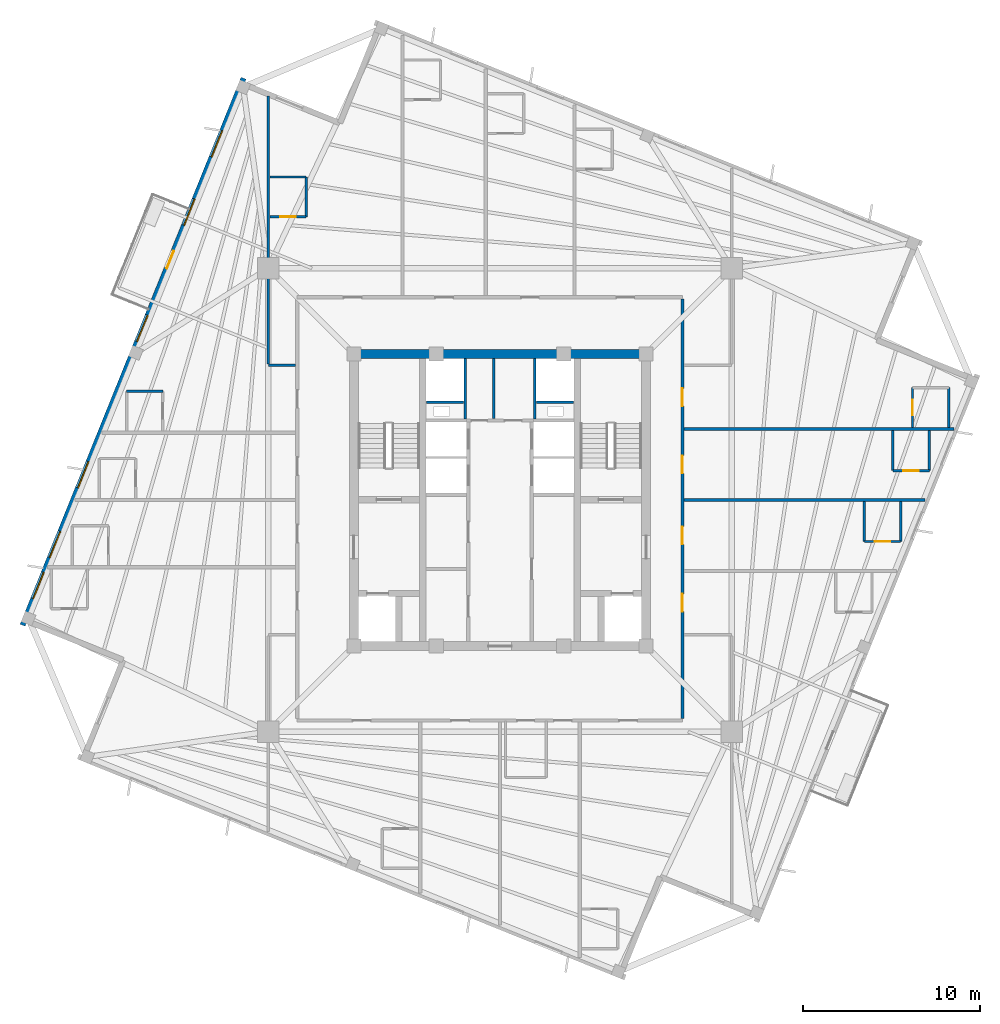
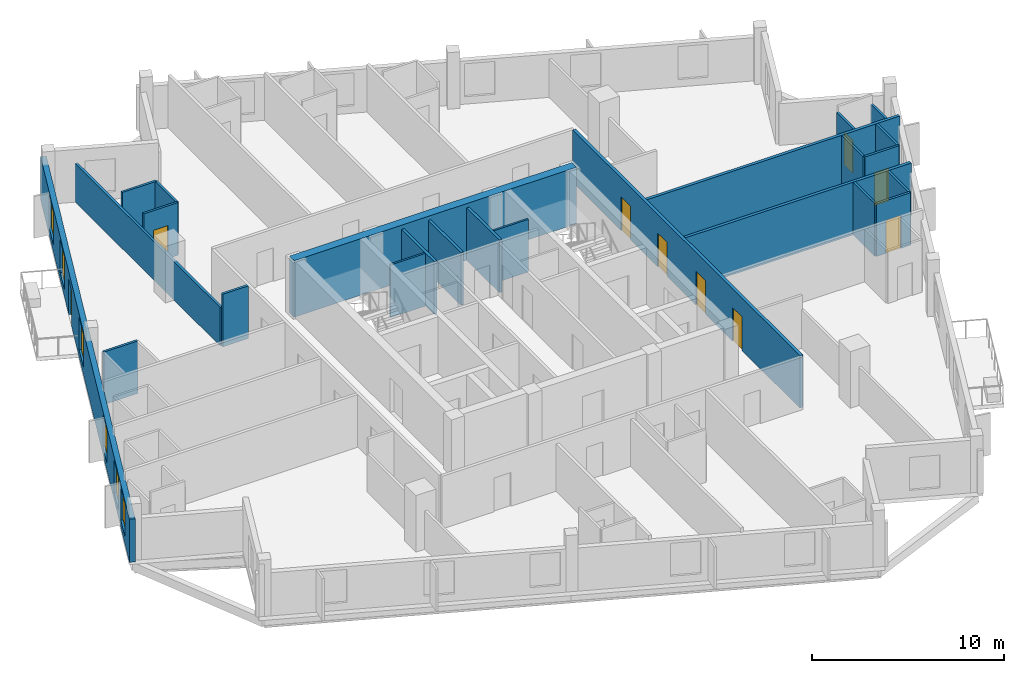
# One storey, part 5 of 9: 24 walls, 9 doors, 6 windows, 15 openings.
"""IFC4 building model written with IfcOpenShell, lengths in metres."""

import ifcopenshell
import ifcopenshell.guid

model = None  # the IFC model being written
_history = None  # IfcOwnerHistory: only IFC2X3 demands one
_inside = {}  # id of a spatial element -> (the spatial element, [elements in it])
_under = {}  # id of a project, library or spatial element -> (it, [spatial elements below it])
_declared = {}  # id of a project -> (the project, [libraries it declares])
_typed = {}  # id of a type object -> (the type object, [elements of that type])
_made_of = {}  # id of a material, layer set ... -> (it, [elements and type objects made of it])


def new_model(schema):
    """Start an empty IFC model of exactly this schema.

    Asked for "IFC4X3", IfcOpenShell would pick the latest addendum, in which some entities
    have other attributes; the version numbers below select the first issue.
    IFC2X3 requires an IfcOwnerHistory on every rooted entity: one is made here for all.
    """
    global model, _history
    if schema == "IFC4X3":
        model = ifcopenshell.file(schema_version=(4, 3, 0, 0))
    else:
        model = ifcopenshell.file(schema=schema)
    _inside.clear()
    _under.clear()
    _declared.clear()
    _typed.clear()
    _made_of.clear()
    _history = None
    if model.schema == "IFC2X3":
        org = make("IfcOrganization", Name="unknown")
        user = make(
            "IfcPersonAndOrganization",
            ThePerson=make("IfcPerson", FamilyName="unknown"),
            TheOrganization=org,
        )
        app = make(
            "IfcApplication",
            ApplicationDeveloper=org,
            Version="unknown",
            ApplicationFullName="unknown",
            ApplicationIdentifier="unknown",
        )
        _history = make(
            "IfcOwnerHistory",
            OwningUser=user,
            OwningApplication=app,
            ChangeAction="ADDED",
            CreationDate=0,
        )
    return model


def make(cls, **values):
    """One entity of the class cls with the attributes given. An attribute that is None is left unset."""
    return model.create_entity(
        cls, **{name: value for name, value in values.items() if value is not None}
    )


def rooted(cls, **values):
    """An entity with a GlobalId (a new one), such as an element, a storey or a relation."""
    return make(cls, GlobalId=ifcopenshell.guid.new(), OwnerHistory=_history, **values)


def si_unit(unit_type, name, prefix=None):
    """IfcSIUnit, for example si_unit("LENGTHUNIT", "METRE", prefix="MILLI")."""
    return make("IfcSIUnit", UnitType=unit_type, Prefix=prefix, Name=name)


def assignment(units):
    """IfcUnitAssignment: the units of a project."""
    return None if units is None else make("IfcUnitAssignment", Units=units)


def point(xyz):
    """IfcCartesianPoint."""
    return None if xyz is None else make("IfcCartesianPoint", Coordinates=xyz)


def direction(xyz):
    """IfcDirection."""
    return None if xyz is None else make("IfcDirection", DirectionRatios=xyz)


def frame(location, z_axis=None, x_axis=None):
    """IfcAxis2Placement3D, a coordinate frame: its origin and axes. An axis left out is left unset."""
    return make(
        "IfcAxis2Placement3D",
        Location=point(location),
        Axis=direction(z_axis),
        RefDirection=direction(x_axis),
    )


def frame_2d(location, x_axis=None):
    """IfcAxis2Placement2D, a coordinate frame in the plane: its origin and x axis."""
    return make(
        "IfcAxis2Placement2D", Location=point(location), RefDirection=direction(x_axis)
    )


def origin():
    """The frame at (0, 0, 0) with its axes left unset."""
    return frame((0.0, 0.0, 0.0))


def place(relative_to, where):
    """IfcLocalPlacement: puts the frame where relative to a parent placement (None: the world)."""
    return make(
        "IfcLocalPlacement", PlacementRelTo=relative_to, RelativePlacement=where
    )


def context(
    kind, dimensions, precision=None, world=None, true_north=None, identifier=None
):
    """IfcGeometricRepresentationContext, for example the 3D "Model" context."""
    return make(
        "IfcGeometricRepresentationContext",
        ContextIdentifier=identifier,
        ContextType=kind,
        CoordinateSpaceDimension=dimensions,
        Precision=precision,
        WorldCoordinateSystem=world,
        TrueNorth=true_north,
    )


def subcontext(parent, identifier, kind, view, scale=None):
    """IfcGeometricRepresentationSubContext, for example "Body" below "Model"."""
    return make(
        "IfcGeometricRepresentationSubContext",
        ContextIdentifier=identifier,
        ContextType=kind,
        ParentContext=parent,
        TargetScale=scale,
        TargetView=view,
    )


def project(units=None, contexts=None):
    """IfcProject with its units and contexts."""
    return rooted(
        "IfcProject",
        Name="project",
        RepresentationContexts=contexts,
        UnitsInContext=assignment(units),
    )


def spatial(cls, under=None, at=None, **own):
    """A site, building, storey or space (cls), placed at a placement, below another one or the project."""
    s = rooted(cls, ObjectPlacement=at, **own)
    if under is not None:
        _under.setdefault(under.id(), (under, []))[1].append(s)
    return s


def profile(cls, at=None, kind="AREA", **sizes):
    """A parametric profile (cls). Its sizes go by their IFC names, for example OverallWidth=200.0."""
    return make(cls, ProfileType=kind, Position=at, **sizes)


def rectangle(**sizes):
    """IfcRectangleProfileDef."""
    return profile("IfcRectangleProfileDef", **sizes)


def extrude(swept, where, along, depth):
    """IfcExtrudedAreaSolid: the profile swept, set in the frame where, extruded along a direction by depth."""
    return make(
        "IfcExtrudedAreaSolid",
        SweptArea=swept,
        Position=where,
        ExtrudedDirection=direction(along),
        Depth=depth,
    )


def shape(context_of_items, identifier, shape_type, items):
    """IfcShapeRepresentation: the items that make up one representation, for example the "Body"."""
    return make(
        "IfcShapeRepresentation",
        ContextOfItems=context_of_items,
        RepresentationIdentifier=identifier,
        RepresentationType=shape_type,
        Items=items,
    )


def source(mapping_origin, context_of_items, identifier, shape_type, items):
    """IfcRepresentationMap: a shape defined once, which mapped items show again and again."""
    return make(
        "IfcRepresentationMap",
        MappingOrigin=mapping_origin,
        MappedRepresentation=shape(context_of_items, identifier, shape_type, items),
    )


def transform(
    local_origin,
    x_axis=None,
    y_axis=None,
    z_axis=None,
    scale=None,
    scale2=None,
    scale3=None,
    uniform=True,
):
    """IfcCartesianTransformationOperator3D, or its non-uniform kind. x_axis, y_axis, z_axis: its Axis1, 2, 3."""
    if uniform:
        return make(
            "IfcCartesianTransformationOperator3D",
            Axis1=direction(x_axis),
            Axis2=direction(y_axis),
            LocalOrigin=point(local_origin),
            Scale=scale,
            Axis3=direction(z_axis),
        )
    return make(
        "IfcCartesianTransformationOperator3DnonUniform",
        Axis1=direction(x_axis),
        Axis2=direction(y_axis),
        LocalOrigin=point(local_origin),
        Scale=scale,
        Axis3=direction(z_axis),
        Scale2=scale2,
        Scale3=scale3,
    )


def mapped(mapping_source, mapping_target):
    """IfcMappedItem: shows the shape of a source again, moved by a transform."""
    return make(
        "IfcMappedItem", MappingSource=mapping_source, MappingTarget=mapping_target
    )


def material(Name=None, Category=None):
    """IfcMaterial."""
    return make("IfcMaterial", Name=Name, Category=Category)


def layer(
    of_material, thickness, ventilated=None, Name=None, Category=None, Priority=None
):
    """IfcMaterialLayer: one layer of a wall or slab, of a material (None: an air gap)."""
    return make(
        "IfcMaterialLayer",
        Material=of_material,
        LayerThickness=thickness,
        IsVentilated=ventilated,
        Name=Name,
        Category=Category,
        Priority=Priority,
    )


def layer_set(layers, Name=None):
    """IfcMaterialLayerSet."""
    return make("IfcMaterialLayerSet", MaterialLayers=layers, LayerSetName=Name)


def made_of(thing, what):
    """Note that an element or type object is made of a material, layer set ...; save() writes the relation."""
    if what is not None:
        _made_of.setdefault(what.id(), (what, []))[1].append(thing)
    return thing


def type_object(cls, material=None, **own):
    """A type object (cls), such as IfcWallType, which elements share."""
    return made_of(rooted(cls, **own), material)


def element(
    cls,
    number,
    at=None,
    inside=None,
    cuts=None,
    type_object=None,
    material=None,
    context=None,
    identifier="Body",
    shape_type=None,
    held_by="IfcProductDefinitionShape",
    body=None,
    shapes=None,
    **own,
):
    """One element of the class cls, such as IfcWall. Its Tag is "e" and its number.

    at: its placement. inside: the storey or other place that contains it. cuts: it is an
    opening in that element (IfcRelVoidsElement). A single representation is given by context,
    identifier, shape_type and body (its items); several are given by shapes. held_by: the class
    of the entity that holds the representations. save() writes the other relations.
    """
    e = rooted(cls, Tag="e%d" % number, ObjectPlacement=at, **own)
    if body is not None:
        shapes = [shape(context, identifier, shape_type, body)]
    if shapes is not None:
        e.Representation = make(held_by, Representations=shapes)
    if inside is not None:
        _inside.setdefault(inside.id(), (inside, []))[1].append(e)
    if cuts is not None:
        rooted(
            "IfcRelVoidsElement", RelatingBuildingElement=cuts, RelatedOpeningElement=e
        )
    if type_object is not None:
        _typed.setdefault(type_object.id(), (type_object, []))[1].append(e)
    return made_of(e, material)


def fill(opening, filler):
    """IfcRelFillsElement: the door or window that sits in an opening."""
    return rooted(
        "IfcRelFillsElement",
        RelatingOpeningElement=opening,
        RelatedBuildingElement=filler,
    )


def aggregate(whole, parts):
    """IfcRelAggregates: a whole, such as a stair, and the parts it consists of."""
    return rooted("IfcRelAggregates", RelatingObject=whole, RelatedObjects=parts)


def save(model, path):
    """Write the relations noted so far, then the file.

    IfcRelAggregates (storeys below a building ...), IfcRelContainedInSpatialStructure (elements
    in a storey), IfcRelDefinesByType, IfcRelAssociatesMaterial and IfcRelDeclares: one each for
    every whole, place, type object, material and project.
    """
    for whole, parts in _under.values():
        aggregate(whole, parts)
    for where, things in _inside.values():
        rooted(
            "IfcRelContainedInSpatialStructure",
            RelatedElements=things,
            RelatingStructure=where,
        )
    for kind, things in _typed.values():
        rooted("IfcRelDefinesByType", RelatedObjects=things, RelatingType=kind)
    for what, things in _made_of.values():
        rooted("IfcRelAssociatesMaterial", RelatedObjects=things, RelatingMaterial=what)
    for by, libraries in _declared.values():
        rooted("IfcRelDeclares", RelatingContext=by, RelatedDefinitions=libraries)
    model.write(path)


model = new_model("IFC4")

# Units and contexts
model_context = context("Model", 3, precision=1e-05, world=origin(), true_north=direction((0.0, 1.0)))
body_context = subcontext(model_context, "Body", "Model", "MODEL_VIEW")
ifc_project = project(units=[si_unit("LENGTHUNIT", "METRE"), si_unit("AREAUNIT", "SQUARE_METRE"), si_unit("VOLUMEUNIT", "CUBIC_METRE"), si_unit("PLANEANGLEUNIT", "RADIAN"), si_unit("MASSUNIT", "GRAM", prefix="KILO"), si_unit("THERMODYNAMICTEMPERATUREUNIT", "KELVIN")], contexts=[model_context])

# Site, building, storey
site_placement = place(None, origin())
site = spatial("IfcSite", under=ifc_project, at=site_placement, CompositionType="ELEMENT")
building_placement = place(site_placement, origin())
building = spatial("IfcBuilding", under=site, at=building_placement, Name="Kosmvard Interchange Tower", CompositionType="ELEMENT")
storey_placement = place(building_placement, frame((0.0, 0.0, 283.199951171875)))
storey = spatial("IfcBuildingStorey", under=building, at=storey_placement, Name="L69", CompositionType="ELEMENT", Elevation=283.199951171875)

# Walls
ifc_material_1 = material(Name="Acoustic gypsum partition system")
ifc_layer_1 = layer(ifc_material_1, 0.14990234375, Name="Acoustic gypsum partition system")
ifc_layer_set_1 = layer_set([ifc_layer_1], Name="Acoustic gypsum partition system")
wall_type_1 = type_object("IfcWallType", Name="Acoustic Suite & Meeting Partition 150", PredefinedType="PARTITIONING", material=ifc_layer_set_1)
wall_1_placement = place(storey_placement, frame((-11.544921875, 7.60009765625, 0.0), z_axis=(0.0, 0.0, 1.0), x_axis=(-1.0, 0.0, 0.0)))
element("IfcWall", 1, at=wall_1_placement, inside=storey, type_object=wall_type_1, Name="L69 Room Partition 13.1", PredefinedType="PARTITIONING", context=body_context, shape_type="SweptSolid", body=[
    extrude(rectangle(XDim=1.5361328125, YDim=0.14990234375, at=frame_2d((0.76806640625, 0.0))), origin(), (0.0, 0.0, 1.0), 3.35009765625),
])
wall_2_placement = place(storey_placement, frame((-13.0810546875, 7.675048828125, 0.0), z_axis=(0.0, 0.0, 1.0), x_axis=(0.0, 1.0, 0.0)))
element("IfcWall", 2, at=wall_2_placement, inside=storey, type_object=wall_type_1, Name="L69 Room Partition 14.1", PredefinedType="PARTITIONING", context=body_context, shape_type="SweptSolid", body=[
    extrude(rectangle(XDim=15.1416015625, YDim=0.14990234375, at=frame_2d((7.57080078125, 0.0))), origin(), (0.0, 0.0, 1.0), 2.449951171875),
])
ifc_material_2 = material(Name="Fire-rated gypsum partition system")
ifc_layer_2 = layer(ifc_material_2, 0.159912109375, Name="Fire-rated gypsum partition system")
ifc_layer_set_2 = layer_set([ifc_layer_2], Name="Fire-rated gypsum partition system")
wall_type_2 = type_object("IfcWallType", Name="Core Compartment & Shuttle Lobby Partition 160", PredefinedType="PARTITIONING", material=ifc_layer_set_2)
for number, where, z_axis, x_axis, name in (
    (3, (-1.9599609375, 4.580078125, 0.0), (0.0, 0.0, 1.0), (0.0, 1.0, 0.0), "L69 North Core West Wall"),
    (4, (1.9599609375, 4.580078125, 0.0), (0.0, 0.0, 1.0), (0.0, 1.0, 0.0), "L69 North Core East Wall"),
):
    element("IfcWall", number, at=place(storey_placement, frame(where, z_axis=z_axis, x_axis=x_axis)), inside=storey, type_object=wall_type_2, Name=name, PredefinedType="PARTITIONING", context=body_context, shape_type="SweptSolid", body=[
        extrude(rectangle(XDim=3.39990234375, YDim=0.159912109375, at=frame_2d((1.699951171875, 0.0))), origin(), (0.0, 0.0, 1.0), 3.35009765625),
    ])
ifc_material_3 = material(Name="Concrete blockwork masonry", Category="masonry")
ifc_layer_3 = layer(ifc_material_3, 0.159912109375, Name="Concrete blockwork masonry")
ifc_layer_set_3 = layer_set([ifc_layer_3], Name="Concrete blockwork masonry")
wall_type_3 = type_object("IfcWallType", Name="Core Enclosure Split Wall 160", PredefinedType="PARTITIONING", material=ifc_layer_set_3)
wall_3_placement = place(storey_placement, frame((-0.35009765625, 4.60009765625, 0.0), z_axis=(0.0, 0.0, 1.0), x_axis=(0.0, 1.0, 0.0)))
element("IfcWall", 5, at=wall_3_placement, inside=storey, type_object=wall_type_3, Name="L69 Core K2 Split Wall", PredefinedType="PARTITIONING", context=body_context, shape_type="SweptSolid", body=[
    extrude(rectangle(XDim=3.3798828125, YDim=0.159912109375, at=frame_2d((1.68994140625, 0.0))), origin(), (0.0, 0.0, 1.0), 3.35009765625),
])

# Wall, openings, doors
ifc_layer_4 = layer(ifc_material_2, 0.179931640625, Name="Fire-rated gypsum partition system")
ifc_layer_set_4 = layer_set([ifc_layer_4], Name="Fire-rated gypsum partition system")
wall_type_4 = type_object("IfcWallType", Name="Corridor & Hotel Compartment Partition 180", PredefinedType="PARTITIONING", material=ifc_layer_set_4)
wall_4_placement = place(storey_placement, frame((10.300048828125, -12.35009765625, 0.0), z_axis=(0.0, 0.0, 1.0), x_axis=(0.0, 1.0, 0.0)))
wall_4 = element("IfcWall", 6, at=wall_4_placement, inside=storey, type_object=wall_type_4, Name="L69 Corridor Wall CE", PredefinedType="PARTITIONING", context=body_context, shape_type="SweptSolid", body=[
    extrude(rectangle(XDim=23.7001953125, YDim=0.179931640625, at=frame_2d((11.85009765625, 0.0))), origin(), (0.0, 0.0, 1.0), 3.35009765625),
])
opening_1_placement = place(wall_4_placement, frame((17.64990234375, 0.0, 0.0)))
opening_1 = element("IfcOpeningElement", 7, at=opening_1_placement, cuts=wall_4, Name="Opening L69-D14", PredefinedType="OPENING", context=body_context, shape_type="SweptSolid", body=[
    extrude(rectangle(XDim=1.0, YDim=2.14990234375, at=frame_2d((0.5, 1.074951171875))), frame((0.0, 0.10009765625, 0.0), z_axis=(0.0, -1.0, 0.0), x_axis=(1.0, 0.0, 0.0)), (0.0, 0.0, 1.0), 0.199951171875),
])
opening_2_placement = place(wall_4_placement, frame((13.85009765625, 0.0, 0.0)))
opening_2 = element("IfcOpeningElement", 8, at=opening_2_placement, cuts=wall_4, Name="Opening L69-D16", PredefinedType="OPENING", context=body_context, shape_type="SweptSolid", body=[
    extrude(rectangle(XDim=1.0, YDim=2.14990234375, at=frame_2d((0.5, 1.074951171875))), frame((0.0, 0.10009765625, 0.0), z_axis=(0.0, -1.0, 0.0), x_axis=(1.0, 0.0, 0.0)), (0.0, 0.0, 1.0), 0.199951171875),
])
opening_3_placement = place(wall_4_placement, frame((9.85009765625, 0.0, 0.0)))
opening_3 = element("IfcOpeningElement", 9, at=opening_3_placement, cuts=wall_4, Name="Opening L69-D18", PredefinedType="OPENING", context=body_context, shape_type="SweptSolid", body=[
    extrude(rectangle(XDim=1.0, YDim=2.14990234375, at=frame_2d((0.5, 1.074951171875))), frame((0.0, 0.10009765625, 0.0), z_axis=(0.0, -1.0, 0.0), x_axis=(1.0, 0.0, 0.0)), (0.0, 0.0, 1.0), 0.199951171875),
])
opening_4_placement = place(wall_4_placement, frame((6.050048828125, 0.0, 0.0)))
opening_4 = element("IfcOpeningElement", 10, at=opening_4_placement, cuts=wall_4, Name="Opening L69-D20", PredefinedType="OPENING", context=body_context, shape_type="SweptSolid", body=[
    extrude(rectangle(XDim=1.0, YDim=2.14990234375, at=frame_2d((0.5, 1.074951171875))), frame((0.0, 0.10009765625, 0.0), z_axis=(0.0, -1.0, 0.0), x_axis=(1.0, 0.0, 0.0)), (0.0, 0.0, 1.0), 0.199951171875),
])
ifc_material_4 = material(Name="Engineered oak fire-rated timber", Category="wood")
door_type_1 = type_object("IfcDoorType", Name="Hotel Guestroom Entrance Door 1000x2150 EI60", OperationType="NOTDEFINED", PredefinedType="DOOR", material=ifc_material_4)
shared_shape_1 = source(origin(), body_context, "Body", "SweptSolid", [
    extrude(rectangle(XDim=1.0, YDim=2.14990234375, at=frame_2d((0.5, 1.074951171875))), frame((0.0, 0.02490234375, 0.0), z_axis=(0.0, -1.0, 0.0), x_axis=(1.0, 0.0, 0.0)), (0.0, 0.0, 1.0), 0.050048828125),
])
door_1_placement = place(opening_1_placement, frame((1.0, 0.0, 0.0), z_axis=(0.0, 0.0, 1.0), x_axis=(-1.0, 0.0, 0.0)))
door_1 = element("IfcDoor", 11, at=door_1_placement, inside=storey, type_object=door_type_1, Name="L69 Hotel Corner Suite 2 Door", OperationType="SINGLE_SWING_RIGHT", OverallHeight=2.14990234375, OverallWidth=1.0, PredefinedType="DOOR", context=body_context, shape_type="MappedRepresentation", body=[
    mapped(shared_shape_1, transform((0.0, 0.0, 0.0), scale=1.0)),
])
fill(opening_1, door_1)
door_2_placement = place(opening_2_placement, frame((1.0, 0.0, 0.0), z_axis=(0.0, 0.0, 1.0), x_axis=(-1.0, 0.0, 0.0)))
door_2 = element("IfcDoor", 12, at=door_2_placement, inside=storey, type_object=door_type_1, Name="L69 Hotel Standard Guest Room 6 Door", OperationType="SINGLE_SWING_RIGHT", OverallHeight=2.14990234375, OverallWidth=1.0, PredefinedType="DOOR", context=body_context, shape_type="MappedRepresentation", body=[
    mapped(shared_shape_1, transform((0.0, 0.0, 0.0), scale=1.0)),
])
fill(opening_2, door_2)
door_3_placement = place(opening_3_placement, frame((1.0, 0.0, 0.0), z_axis=(0.0, 0.0, 1.0), x_axis=(-1.0, 0.0, 0.0)))
door_3 = element("IfcDoor", 13, at=door_3_placement, inside=storey, type_object=door_type_1, Name="L69 Hotel Standard Guest Room 7 Door", OperationType="SINGLE_SWING_RIGHT", OverallHeight=2.14990234375, OverallWidth=1.0, PredefinedType="DOOR", context=body_context, shape_type="MappedRepresentation", body=[
    mapped(shared_shape_1, transform((0.0, 0.0, 0.0), scale=1.0)),
])
fill(opening_3, door_3)
door_4_placement = place(opening_4_placement, frame((1.0, 0.0, 0.0), z_axis=(0.0, 0.0, 1.0), x_axis=(-1.0, 0.0, 0.0)))
door_4 = element("IfcDoor", 14, at=door_4_placement, inside=storey, type_object=door_type_1, Name="L69 Hotel Standard Junior Suite 8 Door", OperationType="SINGLE_SWING_RIGHT", OverallHeight=2.14990234375, OverallWidth=1.0, PredefinedType="DOOR", context=body_context, shape_type="MappedRepresentation", body=[
    mapped(shared_shape_1, transform((0.0, 0.0, 0.0), scale=1.0)),
])
fill(opening_4, door_4)

# Walls
wall_5_placement = place(storey_placement, frame((10.39501953125, 4.0, 0.0), z_axis=(0.0, 0.0, 1.0), x_axis=(1.0, 0.0, 0.0)))
element("IfcWall", 15, at=wall_5_placement, inside=storey, type_object=wall_type_4, Name="L69 Room Partition 04.1", PredefinedType="PARTITIONING", context=body_context, shape_type="SweptSolid", body=[
    extrude(rectangle(XDim=15.223876953125, YDim=0.179931640625, at=frame_2d((7.61181640625, 0.0))), origin(), (0.0, 0.0, 1.0), 3.35009765625),
])
wall_6_placement = place(storey_placement, frame((10.39501953125, 0.0, 0.0), z_axis=(0.0, 0.0, 1.0), x_axis=(1.0, 0.0, 0.0)))
element("IfcWall", 16, at=wall_6_placement, inside=storey, type_object=wall_type_4, Name="L69 Room Partition 05.1", PredefinedType="PARTITIONING", context=body_context, shape_type="SweptSolid", body=[
    extrude(rectangle(XDim=13.607666015625, YDim=0.179931640625, at=frame_2d((6.8037109375, 0.0))), origin(), (0.0, 0.0, 1.0), 3.35009765625),
])
ifc_material_5 = material(Name="Fire-rated gypsum shaftwall system")
ifc_layer_5 = layer(ifc_material_5, 0.1201171875, Name="Fire-rated gypsum shaftwall system")
ifc_layer_set_5 = layer_set([ifc_layer_5], Name="Fire-rated gypsum shaftwall system")
wall_type_5 = type_object("IfcWallType", Name="Shaft & Riser Fire Partition 120 EI60", PredefinedType="PARTITIONING", material=ifc_layer_set_5)
for number, where, z_axis, x_axis, name in (
    (17, (-4.159912109375, 5.52001953125, 0.0), (0.0, 0.0, 1.0), (1.0, 0.0, 0.0), "L69 Riser Shaft Divider W"),
    (18, (2.06005859375, 5.52001953125, 0.0), (0.0, 0.0, 1.0), (1.0, 0.0, 0.0), "L69 Riser Shaft Divider E"),
):
    element("IfcWall", number, at=place(storey_placement, frame(where, z_axis=z_axis, x_axis=x_axis)), inside=storey, type_object=wall_type_5, Name=name, PredefinedType="PARTITIONING", context=body_context, shape_type="SweptSolid", body=[
        extrude(rectangle(XDim=2.099853515625, YDim=0.1201171875, at=frame_2d((1.0498046875, 0.0))), origin(), (0.0, 0.0, 1.0), 3.35009765625),
    ])
ifc_material_6 = material(Name="Concrete C60/75", Category="concrete")
ifc_layer_6 = layer(ifc_material_6, 0.5, Name="Concrete C60/75")
ifc_layer_set_6 = layer_set([ifc_layer_6], Name="Concrete C60/75")
wall_type_6 = type_object("IfcWallType", Name="Upper Core Shear Wall 500 C60/75", PredefinedType="SHEAR", material=ifc_layer_set_6)
wall_7_placement = place(storey_placement, frame((-8.5, 8.25, 0.0), z_axis=(0.0, 0.0, 1.0), x_axis=(1.0, 0.0, 0.0)))
element("IfcWall", 19, at=wall_7_placement, inside=storey, type_object=wall_type_6, Name="L69 Core Shear Wall CW-N", PredefinedType="SHEAR", context=body_context, shape_type="SweptSolid", body=[
    extrude(rectangle(XDim=17.0, YDim=0.5, at=frame_2d((8.5, 0.0))), origin(), (0.0, 0.0, 1.0), 3.60009765625),
])

# Wall, openings, door, windows
ifc_material_7 = material(Name="Precast concrete C45/55", Category="concrete")
ifc_layer_7 = layer(ifc_material_7, 0.31005859375, Name="Precast concrete C45/55")
ifc_layer_set_7 = layer_set([ifc_layer_7], Name="Precast concrete C45/55")
wall_type_7 = type_object("IfcWallType", Name="Upper Tower Precast Pier Wall 310 C45/55", PredefinedType="STANDARD", material=ifc_layer_set_7)
wall_8_placement = place(storey_placement, frame((-14.478759765625, 23.812744140625, 0.0), z_axis=(0.0, 0.0, 1.0), x_axis=(-0.374609557019, -0.927182657188, 0.0)))
wall_8 = element("IfcWall", 20, at=wall_8_placement, inside=storey, type_object=wall_type_7, Name="L69 Precast Facade Wall F-N", PredefinedType="STANDARD", context=body_context, shape_type="SweptSolid", body=[
    extrude(rectangle(XDim=33.31005859375, YDim=0.31005859375, at=frame_2d((16.655029296875, 0.0))), origin(), (0.0, 0.0, 1.0), 2.75),
])
opening_5_placement = place(wall_8_placement, frame((10.530029296875, 0.0, 0.0)))
opening_5 = element("IfcOpeningElement", 21, at=opening_5_placement, cuts=wall_8, Name="Opening L69-BDN", PredefinedType="OPENING", context=body_context, shape_type="SweptSolid", body=[
    extrude(rectangle(XDim=1.050048828125, YDim=2.25, at=frame_2d((0.52490234375, 1.125))), frame((0.0, 0.1650390625, 0.0), z_axis=(0.0, -1.0, 0.0), x_axis=(1.0, 0.0, 0.0)), (0.0, 0.0, 1.0), 0.330078125),
])
opening_6_placement = place(wall_8_placement, frame((3.197265625, 0.0, 0.469970703125)))
opening_6 = element("IfcOpeningElement", 22, at=opening_6_placement, cuts=wall_8, Name="Opening L69-W11", PredefinedType="OPENING", context=body_context, shape_type="SweptSolid", body=[
    extrude(rectangle(XDim=1.60009765625, YDim=2.10009765625, at=frame_2d((0.800048828125, 1.050048828125))), frame((0.0, 0.1650390625, 0.0), z_axis=(0.0, -1.0, 0.0), x_axis=(1.0, 0.0, 0.0)), (0.0, 0.0, 1.0), 0.330078125),
])
opening_7_placement = place(wall_8_placement, frame((7.35986328125, 0.0, 0.469970703125)))
opening_7 = element("IfcOpeningElement", 23, at=opening_7_placement, cuts=wall_8, Name="Opening L69-W12", PredefinedType="OPENING", context=body_context, shape_type="SweptSolid", body=[
    extrude(rectangle(XDim=1.60009765625, YDim=2.10009765625, at=frame_2d((0.800048828125, 1.050048828125))), frame((0.0, 0.1650390625, 0.0), z_axis=(0.0, -1.0, 0.0), x_axis=(1.0, 0.0, 0.0)), (0.0, 0.0, 1.0), 0.330078125),
])
opening_8_placement = place(wall_8_placement, frame((14.438720703125, 0.0, 0.469970703125)))
opening_8 = element("IfcOpeningElement", 24, at=opening_8_placement, cuts=wall_8, Name="Opening L69-W13", PredefinedType="OPENING", context=body_context, shape_type="SweptSolid", body=[
    extrude(rectangle(XDim=1.60009765625, YDim=2.10009765625, at=frame_2d((0.800048828125, 1.050048828125))), frame((0.0, 0.1650390625, 0.0), z_axis=(0.0, -1.0, 0.0), x_axis=(1.0, 0.0, 0.0)), (0.0, 0.0, 1.0), 0.330078125),
])
opening_9_placement = place(wall_8_placement, frame((23.350830078125, 0.0, 0.469970703125)))
opening_9 = element("IfcOpeningElement", 25, at=opening_9_placement, cuts=wall_8, Name="Opening L69-W14", PredefinedType="OPENING", context=body_context, shape_type="SweptSolid", body=[
    extrude(rectangle(XDim=1.60009765625, YDim=2.10009765625, at=frame_2d((0.800048828125, 1.050048828125))), frame((0.0, 0.1650390625, 0.0), z_axis=(0.0, -1.0, 0.0), x_axis=(1.0, 0.0, 0.0)), (0.0, 0.0, 1.0), 0.330078125),
])
opening_10_placement = place(wall_8_placement, frame((30.0966796875, 0.0, 0.469970703125)))
opening_10 = element("IfcOpeningElement", 26, at=opening_10_placement, cuts=wall_8, Name="Opening L69-W15", PredefinedType="OPENING", context=body_context, shape_type="SweptSolid", body=[
    extrude(rectangle(XDim=1.60009765625, YDim=2.10009765625, at=frame_2d((0.800048828125, 1.050048828125))), frame((0.0, 0.1650390625, 0.0), z_axis=(0.0, -1.0, 0.0), x_axis=(1.0, 0.0, 0.0)), (0.0, 0.0, 1.0), 0.330078125),
])
opening_11_placement = place(wall_8_placement, frame((27.58984375, 0.0, 0.469970703125)))
opening_11 = element("IfcOpeningElement", 27, at=opening_11_placement, cuts=wall_8, Name="Opening L69-DW25", PredefinedType="OPENING", context=body_context, shape_type="SweptSolid", body=[
    extrude(rectangle(XDim=1.60009765625, YDim=2.10009765625, at=frame_2d((0.800048828125, 1.050048828125))), frame((0.0, 0.1650390625, 0.0), z_axis=(0.0, -1.0, 0.0), x_axis=(1.0, 0.0, 0.0)), (0.0, 0.0, 1.0), 0.330078125),
])
ifc_material_8 = material(Name="Anodised aluminium and safety glass", Category="aluminium")
door_type_2 = type_object("IfcDoorType", Name="Tree-Balcony Glazed Door 1050x2250", OperationType="NOTDEFINED", PredefinedType="DOOR", material=ifc_material_8)
shared_shape_2 = source(origin(), body_context, "Body", "SweptSolid", [
    extrude(rectangle(XDim=1.050048828125, YDim=2.25, at=frame_2d((0.52490234375, 1.125))), frame((0.0, 0.02490234375, 0.0), z_axis=(0.0, -1.0, 0.0), x_axis=(1.0, 0.0, 0.0)), (0.0, 0.0, 1.0), 0.050048828125),
])
door_5_placement = place(opening_5_placement, origin())
door_5 = element("IfcDoor", 28, at=door_5_placement, inside=storey, type_object=door_type_2, Name="L69 Tree-Balcony Door BAL-L69-N", OperationType="SINGLE_SWING_RIGHT", OverallHeight=2.25, OverallWidth=1.050048828125, PredefinedType="DOOR", context=body_context, shape_type="MappedRepresentation", body=[
    mapped(shared_shape_2, transform((0.0, 0.0, 0.0), scale=1.0)),
])
fill(opening_5, door_5)
ifc_material_9 = material(Name="Low-E acoustic double glazing", Category="glass")
window_type = type_object("IfcWindowType", Name="Zone 5 Hotel Punched Window 1600x2100", PartitioningType="SINGLE_PANEL", PredefinedType="WINDOW", material=ifc_material_9)
shared_shape_3 = source(origin(), body_context, "Body", "SweptSolid", [
    extrude(rectangle(XDim=1.60009765625, YDim=2.10009765625, at=frame_2d((0.800048828125, 1.050048828125))), frame((0.0, 0.030029296875, 0.0), z_axis=(0.0, -1.0, 0.0), x_axis=(1.0, 0.0, 0.0)), (0.0, 0.0, 1.0), 0.06005859375),
])
window_1_placement = place(opening_6_placement, origin())
window_1 = element("IfcWindow", 29, at=window_1_placement, inside=storey, type_object=window_type, Name="L69 Facade Punched Window 11", OverallHeight=2.10009765625, OverallWidth=1.60009765625, PartitioningType="SINGLE_PANEL", PredefinedType="WINDOW", context=body_context, shape_type="MappedRepresentation", body=[
    mapped(shared_shape_3, transform((0.0, 0.0, 0.0), scale=1.0)),
])
fill(opening_6, window_1)
window_2_placement = place(opening_7_placement, origin())
window_2 = element("IfcWindow", 30, at=window_2_placement, inside=storey, type_object=window_type, Name="L69 Facade Punched Window 12", OverallHeight=2.10009765625, OverallWidth=1.60009765625, PartitioningType="SINGLE_PANEL", PredefinedType="WINDOW", context=body_context, shape_type="MappedRepresentation", body=[
    mapped(shared_shape_3, transform((0.0, 0.0, 0.0), scale=1.0)),
])
fill(opening_7, window_2)
window_3_placement = place(opening_8_placement, origin())
window_3 = element("IfcWindow", 31, at=window_3_placement, inside=storey, type_object=window_type, Name="L69 Facade Punched Window 13", OverallHeight=2.10009765625, OverallWidth=1.60009765625, PartitioningType="SINGLE_PANEL", PredefinedType="WINDOW", context=body_context, shape_type="MappedRepresentation", body=[
    mapped(shared_shape_3, transform((0.0, 0.0, 0.0), scale=1.0)),
])
fill(opening_8, window_3)
window_4_placement = place(opening_9_placement, origin())
window_4 = element("IfcWindow", 32, at=window_4_placement, inside=storey, type_object=window_type, Name="L69 Facade Punched Window 14", OverallHeight=2.10009765625, OverallWidth=1.60009765625, PartitioningType="SINGLE_PANEL", PredefinedType="WINDOW", context=body_context, shape_type="MappedRepresentation", body=[
    mapped(shared_shape_3, transform((0.0, 0.0, 0.0), scale=1.0)),
])
fill(opening_9, window_4)
window_5_placement = place(opening_10_placement, origin())
window_5 = element("IfcWindow", 33, at=window_5_placement, inside=storey, type_object=window_type, Name="L69 Facade Punched Window 15", OverallHeight=2.10009765625, OverallWidth=1.60009765625, PartitioningType="SINGLE_PANEL", PredefinedType="WINDOW", context=body_context, shape_type="MappedRepresentation", body=[
    mapped(shared_shape_3, transform((0.0, 0.0, 0.0), scale=1.0)),
])
fill(opening_10, window_5)
window_6_placement = place(opening_11_placement, origin())
window_6 = element("IfcWindow", 34, at=window_6_placement, inside=storey, type_object=window_type, Name="L69 Guest Room Punched Window 25", OverallHeight=2.10009765625, OverallWidth=1.60009765625, PartitioningType="SINGLE_PANEL", PredefinedType="WINDOW", context=body_context, shape_type="MappedRepresentation", body=[
    mapped(shared_shape_3, transform((0.0, 0.0, 0.0), scale=1.0)),
])
fill(opening_11, window_6)

# Wall
ifc_material_10 = material(Name="Moisture-resistant gypsum partition")
ifc_layer_8 = layer(ifc_material_10, 0.135009765625, Name="Moisture-resistant gypsum partition")
ifc_layer_set_8 = layer_set([ifc_layer_8], Name="Moisture-resistant gypsum partition")
wall_type_8 = type_object("IfcWallType", Name="Wet Room Moisture-Resistant Partition 135", PredefinedType="PARTITIONING", material=ifc_layer_set_8)
wall_9_placement = place(storey_placement, frame((-21.084228515625, 6.139892578125, 0.0), z_axis=(0.0, 0.0, 1.0), x_axis=(1.0, 0.0, 0.0)))
element("IfcWall", 35, at=wall_9_placement, inside=storey, type_object=wall_type_8, Name="L69 En-Suite Partition HGR2-N", PredefinedType="PARTITIONING", context=body_context, shape_type="SweptSolid", body=[
    extrude(rectangle(XDim=2.050048828125, YDim=0.135009765625, at=frame_2d((1.02490234375, 0.0))), origin(), (0.0, 0.0, 1.0), 3.35009765625),
])

# Wall, opening, door
wall_10_placement = place(storey_placement, frame((-12.990966796875, 15.98583984375, 0.0), z_axis=(0.0, 0.0, 1.0), x_axis=(1.0, 0.0, 0.0)))
wall_10 = element("IfcWall", 36, at=wall_10_placement, inside=storey, type_object=wall_type_8, Name="L69 En-Suite Partition HGR3-S", PredefinedType="PARTITIONING", context=body_context, shape_type="SweptSolid", body=[
    extrude(rectangle(XDim=2.050048828125, YDim=0.135009765625, at=frame_2d((1.02490234375, 0.0))), origin(), (0.0, 0.0, 1.0), 3.35009765625),
])
opening_12_placement = place(wall_10_placement, frame((0.5849609375, 0.0, 0.0)))
opening_12 = element("IfcOpeningElement", 37, at=opening_12_placement, cuts=wall_10, Name="Opening L69-ED07", PredefinedType="OPENING", context=body_context, shape_type="SweptSolid", body=[
    extrude(rectangle(XDim=0.8798828125, YDim=2.10009765625, at=frame_2d((0.43994140625, 1.050048828125))), frame((0.0, 0.07763671875, 0.0), z_axis=(0.0, -1.0, 0.0), x_axis=(1.0, 0.0, 0.0)), (0.0, 0.0, 1.0), 0.155029296875),
])
ifc_material_11 = material(Name="Laminated moisture-resistant timber", Category="wood")
door_type_3 = type_object("IfcDoorType", Name="En-Suite & Washroom Door 880x2100", OperationType="NOTDEFINED", PredefinedType="DOOR", material=ifc_material_11)
shared_shape_4 = source(origin(), body_context, "Body", "SweptSolid", [
    extrude(rectangle(XDim=0.8798828125, YDim=2.10009765625, at=frame_2d((0.43994140625, 1.050048828125))), frame((0.0, 0.02490234375, 0.0), z_axis=(0.0, -1.0, 0.0), x_axis=(1.0, 0.0, 0.0)), (0.0, 0.0, 1.0), 0.050048828125),
])
door_6_placement = place(opening_12_placement, origin())
door_6 = element("IfcDoor", 38, at=door_6_placement, inside=storey, type_object=door_type_3, Name="L69 HGR3 En-Suite Door", OperationType="SINGLE_SWING_RIGHT", OverallHeight=2.10009765625, OverallWidth=0.8798828125, PredefinedType="DOOR", context=body_context, shape_type="MappedRepresentation", body=[
    mapped(shared_shape_4, transform((0.0, 0.0, 0.0), scale=1.0)),
])
fill(opening_12, door_6)

# Walls
wall_11_placement = place(storey_placement, frame((-10.94091796875, 15.98583984375, 0.0), z_axis=(0.0, 0.0, 1.0), x_axis=(0.0, 1.0, 0.0)))
element("IfcWall", 39, at=wall_11_placement, inside=storey, type_object=wall_type_8, Name="L69 En-Suite Partition HGR3-E", PredefinedType="PARTITIONING", context=body_context, shape_type="SweptSolid", body=[
    extrude(rectangle(XDim=2.25, YDim=0.135009765625, at=frame_2d((1.125, 0.0))), origin(), (0.0, 0.0, 1.0), 3.35009765625),
])
wall_12_placement = place(storey_placement, frame((-12.990966796875, 18.23583984375, 0.0), z_axis=(0.0, 0.0, 1.0), x_axis=(1.0, 0.0, 0.0)))
element("IfcWall", 40, at=wall_12_placement, inside=storey, type_object=wall_type_8, Name="L69 En-Suite Partition HGR3-N", PredefinedType="PARTITIONING", context=body_context, shape_type="SweptSolid", body=[
    extrude(rectangle(XDim=2.050048828125, YDim=0.135009765625, at=frame_2d((1.02490234375, 0.0))), origin(), (0.0, 0.0, 1.0), 3.35009765625),
])
wall_13_placement = place(storey_placement, frame((25.341552734375, 4.090087890625, 0.0), z_axis=(0.0, 0.0, 1.0), x_axis=(0.0, 1.0, 0.0)))
element("IfcWall", 41, at=wall_13_placement, inside=storey, type_object=wall_type_8, Name="L69 En-Suite Partition HCS2-E", PredefinedType="PARTITIONING", context=body_context, shape_type="SweptSolid", body=[
    extrude(rectangle(XDim=2.25, YDim=0.135009765625, at=frame_2d((1.125, 0.0))), origin(), (0.0, 0.0, 1.0), 2.75),
])

# Wall, opening, door
wall_14_placement = place(storey_placement, frame((23.29150390625, 4.090087890625, 0.0), z_axis=(0.0, 0.0, 1.0), x_axis=(0.0, 1.0, 0.0)))
wall_14 = element("IfcWall", 42, at=wall_14_placement, inside=storey, type_object=wall_type_8, Name="L69 En-Suite Partition HCS2-W", PredefinedType="PARTITIONING", context=body_context, shape_type="SweptSolid", body=[
    extrude(rectangle(XDim=2.25, YDim=0.135009765625, at=frame_2d((1.125, 0.0))), origin(), (0.0, 0.0, 1.0), 2.949951171875),
])
opening_13_placement = place(wall_14_placement, frame((0.68505859375, 0.0, 0.0)))
opening_13 = element("IfcOpeningElement", 43, at=opening_13_placement, cuts=wall_14, Name="Opening L69-ED15", PredefinedType="OPENING", context=body_context, shape_type="SweptSolid", body=[
    extrude(rectangle(XDim=0.8798828125, YDim=2.10009765625, at=frame_2d((0.43994140625, 1.050048828125))), frame((0.0, 0.07763671875, 0.0), z_axis=(0.0, -1.0, 0.0), x_axis=(1.0, 0.0, 0.0)), (0.0, 0.0, 1.0), 0.155029296875),
])
door_7_placement = place(opening_13_placement, frame((0.8798828125, 0.0, 0.0), z_axis=(0.0, 0.0, 1.0), x_axis=(-1.0, 0.0, 0.0)))
door_7 = element("IfcDoor", 44, at=door_7_placement, inside=storey, type_object=door_type_3, Name="L69 HCS2 En-Suite Door", OperationType="SINGLE_SWING_RIGHT", OverallHeight=2.10009765625, OverallWidth=0.8798828125, PredefinedType="DOOR", context=body_context, shape_type="MappedRepresentation", body=[
    mapped(shared_shape_4, transform((0.0, 0.0, 0.0), scale=1.0)),
])
fill(opening_13, door_7)

wall_15_placement = place(storey_placement, frame((22.185546875, 1.659912109375, 0.0), z_axis=(0.0, 0.0, 1.0), x_axis=(1.0, 0.0, 0.0)))
wall_15 = element("IfcWall", 45, at=wall_15_placement, inside=storey, type_object=wall_type_8, Name="L69 En-Suite Partition HGR6-S", PredefinedType="PARTITIONING", context=body_context, shape_type="SweptSolid", body=[
    extrude(rectangle(XDim=2.050048828125, YDim=0.135009765625, at=frame_2d((1.02490234375, 0.0))), origin(), (0.0, 0.0, 1.0), 3.35009765625),
])
opening_14_placement = place(wall_15_placement, frame((0.5849609375, 0.0, 0.0)))
opening_14 = element("IfcOpeningElement", 46, at=opening_14_placement, cuts=wall_15, Name="Opening L69-ED17", PredefinedType="OPENING", context=body_context, shape_type="SweptSolid", body=[
    extrude(rectangle(XDim=0.8798828125, YDim=2.10009765625, at=frame_2d((0.43994140625, 1.050048828125))), frame((0.0, 0.07763671875, 0.0), z_axis=(0.0, -1.0, 0.0), x_axis=(1.0, 0.0, 0.0)), (0.0, 0.0, 1.0), 0.155029296875),
])
door_8_placement = place(opening_14_placement, origin())
door_8 = element("IfcDoor", 47, at=door_8_placement, inside=storey, type_object=door_type_3, Name="L69 HGR6 En-Suite Door", OperationType="SINGLE_SWING_RIGHT", OverallHeight=2.10009765625, OverallWidth=0.8798828125, PredefinedType="DOOR", context=body_context, shape_type="MappedRepresentation", body=[
    mapped(shared_shape_4, transform((0.0, 0.0, 0.0), scale=1.0)),
])
fill(opening_14, door_8)

# Walls
for number, where, z_axis, x_axis, name in (
    (48, (24.235595703125, 1.659912109375, 0.0), (0.0, 0.0, 1.0), (0.0, 1.0, 0.0), "L69 En-Suite Partition HGR6-E"),
    (49, (22.185546875, 1.659912109375, 0.0), (0.0, 0.0, 1.0), (0.0, 1.0, 0.0), "L69 En-Suite Partition HGR6-W"),
):
    element("IfcWall", number, at=place(storey_placement, frame(where, z_axis=z_axis, x_axis=x_axis)), inside=storey, type_object=wall_type_8, Name=name, PredefinedType="PARTITIONING", context=body_context, shape_type="SweptSolid", body=[
        extrude(rectangle(XDim=2.25, YDim=0.135009765625, at=frame_2d((1.125, 0.0))), origin(), (0.0, 0.0, 1.0), 3.35009765625),
    ])

# Wall, opening, door
wall_16_placement = place(storey_placement, frame((20.569580078125, -2.340087890625, 0.0), z_axis=(0.0, 0.0, 1.0), x_axis=(1.0, 0.0, 0.0)))
wall_16 = element("IfcWall", 50, at=wall_16_placement, inside=storey, type_object=wall_type_8, Name="L69 En-Suite Partition HGR7-S", PredefinedType="PARTITIONING", context=body_context, shape_type="SweptSolid", body=[
    extrude(rectangle(XDim=2.0498046875, YDim=0.135009765625, at=frame_2d((1.02490234375, 0.0))), origin(), (0.0, 0.0, 1.0), 3.35009765625),
])
opening_15_placement = place(wall_16_placement, frame((0.5849609375, 0.0, 0.0)))
opening_15 = element("IfcOpeningElement", 51, at=opening_15_placement, cuts=wall_16, Name="Opening L69-ED19", PredefinedType="OPENING", context=body_context, shape_type="SweptSolid", body=[
    extrude(rectangle(XDim=0.8798828125, YDim=2.10009765625, at=frame_2d((0.43994140625, 1.050048828125))), frame((0.0, 0.07763671875, 0.0), z_axis=(0.0, -1.0, 0.0), x_axis=(1.0, 0.0, 0.0)), (0.0, 0.0, 1.0), 0.155029296875),
])
door_9_placement = place(opening_15_placement, origin())
door_9 = element("IfcDoor", 52, at=door_9_placement, inside=storey, type_object=door_type_3, Name="L69 HGR7 En-Suite Door", OperationType="SINGLE_SWING_RIGHT", OverallHeight=2.10009765625, OverallWidth=0.8798828125, PredefinedType="DOOR", context=body_context, shape_type="MappedRepresentation", body=[
    mapped(shared_shape_4, transform((0.0, 0.0, 0.0), scale=1.0)),
])
fill(opening_15, door_9)

# Walls
for number, where, z_axis, x_axis, name in (
    (53, (22.619384765625, -2.340087890625, 0.0), (0.0, 0.0, 1.0), (0.0, 1.0, 0.0), "L69 En-Suite Partition HGR7-E"),
    (54, (20.569580078125, -2.340087890625, 0.0), (0.0, 0.0, 1.0), (0.0, 1.0, 0.0), "L69 En-Suite Partition HGR7-W"),
):
    element("IfcWall", number, at=place(storey_placement, frame(where, z_axis=z_axis, x_axis=x_axis)), inside=storey, type_object=wall_type_8, Name=name, PredefinedType="PARTITIONING", context=body_context, shape_type="SweptSolid", body=[
        extrude(rectangle(XDim=2.25, YDim=0.135009765625, at=frame_2d((1.125, 0.0))), origin(), (0.0, 0.0, 1.0), 3.35009765625),
    ])

save(model, "model.ifc")
